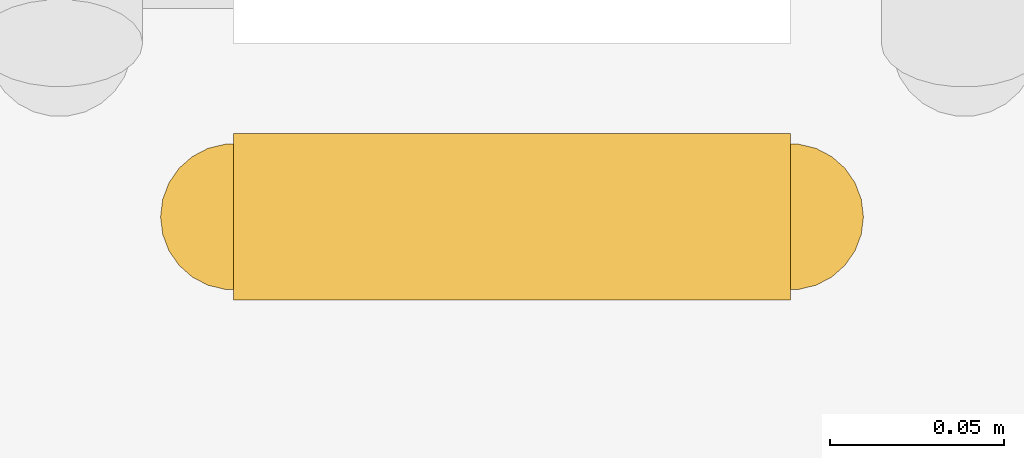
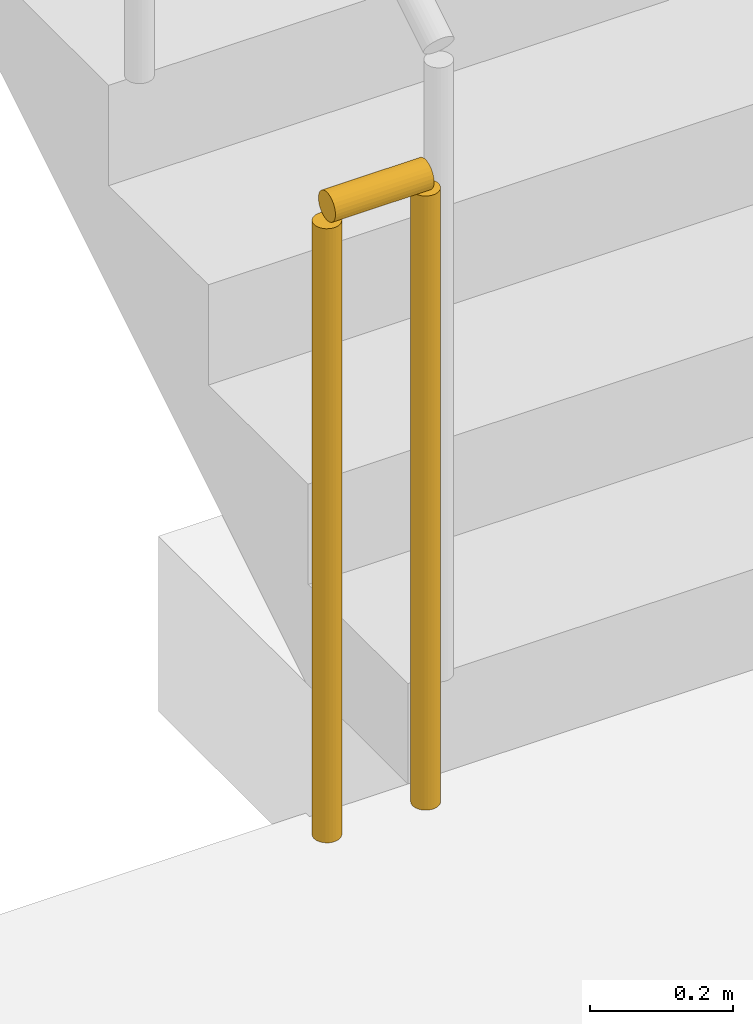
# One storey, part 67 of 87: 1 railing.
"""IFC4 building model written with IfcOpenShell, lengths in metres."""

from ifc_helpers import new_model, si_unit, direction, frame, origin, origin_2d, place, context, subcontext, project, spatial, circle, extrude, material, type_object, element, save


model = new_model("IFC4")

# Units and contexts
model_context = context("Model", 3, precision=1e-05, world=origin(), true_north=direction((0.0, 1.0)))
body_context = subcontext(model_context, "Body", "Model", "MODEL_VIEW")
ifc_project = project(units=[si_unit("LENGTHUNIT", "METRE"), si_unit("AREAUNIT", "SQUARE_METRE"), si_unit("VOLUMEUNIT", "CUBIC_METRE"), si_unit("PLANEANGLEUNIT", "RADIAN"), si_unit("MASSUNIT", "GRAM", prefix="KILO")], contexts=[model_context])

# Site, building, storey
site_placement = place(None, origin())
site = spatial("IfcSite", under=ifc_project, at=site_placement, CompositionType="ELEMENT")
building_placement = place(site_placement, origin())
building = spatial("IfcBuilding", under=site, at=building_placement, Name="Lunette Opera House", CompositionType="ELEMENT")
storey_placement = place(building_placement, frame((0.0, 0.0, 11.5)))
storey = spatial("IfcBuildingStorey", under=building, at=storey_placement, Name="L02", CompositionType="ELEMENT", Elevation=11.5)

# Railing
ifc_material = material(Name="Steel S355", Category="steel")
railing_type = type_object("IfcRailingType", Name="STAIR GUARD 1100", PredefinedType="GUARDRAIL", material=ifc_material)
railing_placement = place(storey_placement, frame((78.679931640625, 86.8701171875, 0.0)))
element("IfcRailing", 1, at=railing_placement, inside=storey, type_object=railing_type, Name="L02 ST10 stair guard 4", PredefinedType="GUARDRAIL", context=body_context, shape_type="SweptSolid", body=[
    extrude(circle(Radius=0.02392578125, at=origin_2d()), frame((0.0, 0.0, 1.076171875), z_axis=(-1.0, 0.0, 0.0), x_axis=(0.0, -1.0, 0.0)), (0.0, 0.0, 1.0), 0.159912109375),
    extrude(circle(Radius=0.02099609375, at=origin_2d()), origin(), (0.0, 0.0, 1.0), 1.052001953125),
    extrude(circle(Radius=0.02099609375, at=origin_2d()), frame((-0.159912109375, 0.0, 0.0)), (0.0, 0.0, 1.0), 1.052001953125),
])

save(model, "model.ifc")
